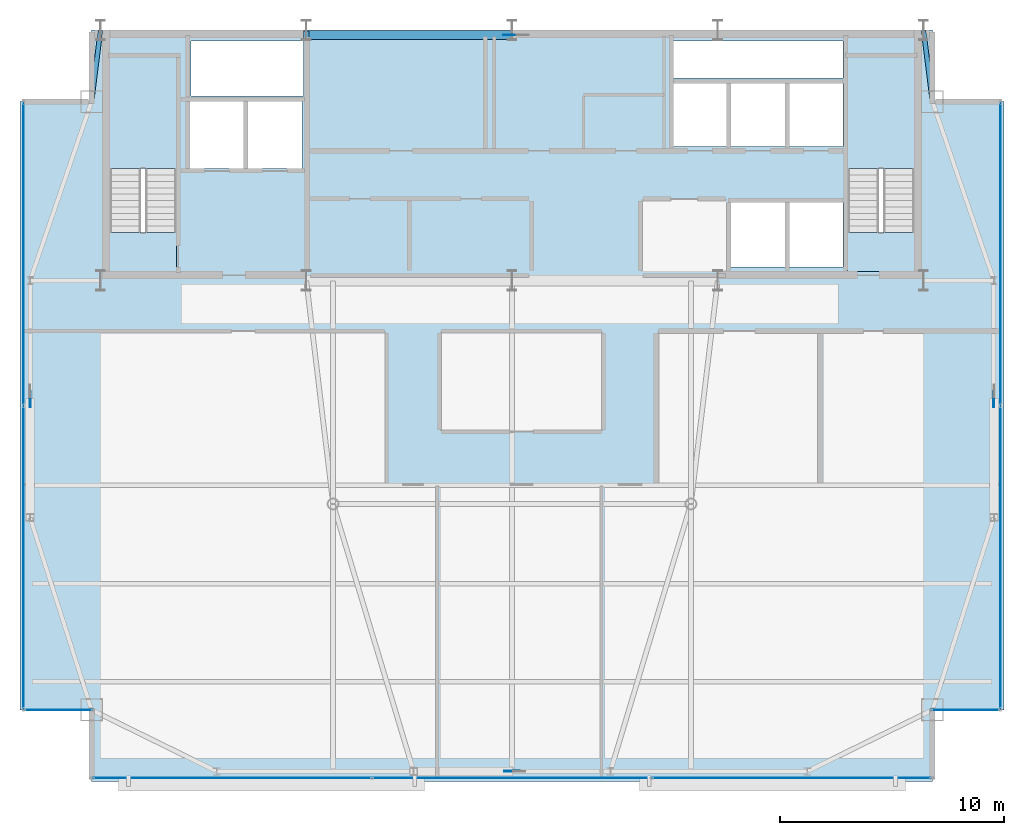
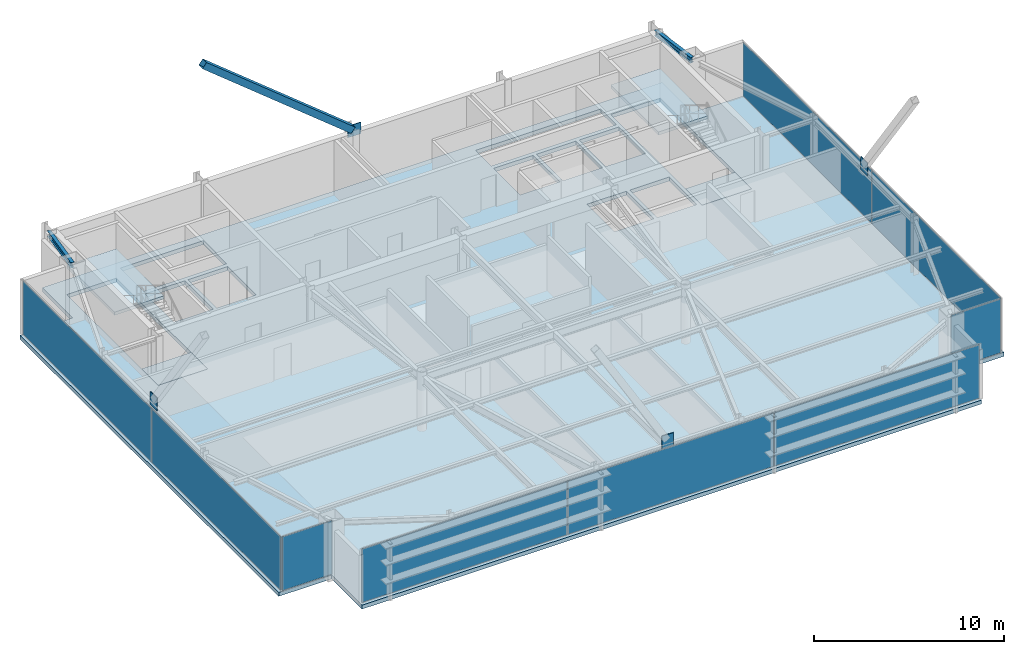
# One storey, part 18 of 24: 13 plates, 5 slabs, 2 beams, 1 member, 7 elements without a shape of their own.
"""IFC4 building model written with IfcOpenShell, lengths in metres."""

import ifcopenshell
import ifcopenshell.guid

model = None  # the IFC model being written
_history = None  # IfcOwnerHistory: only IFC2X3 demands one
_inside = {}  # id of a spatial element -> (the spatial element, [elements in it])
_under = {}  # id of a project, library or spatial element -> (it, [spatial elements below it])
_declared = {}  # id of a project -> (the project, [libraries it declares])
_typed = {}  # id of a type object -> (the type object, [elements of that type])
_made_of = {}  # id of a material, layer set ... -> (it, [elements and type objects made of it])


def new_model(schema):
    """Start an empty IFC model of exactly this schema.

    Asked for "IFC4X3", IfcOpenShell would pick the latest addendum, in which some entities
    have other attributes; the version numbers below select the first issue.
    IFC2X3 requires an IfcOwnerHistory on every rooted entity: one is made here for all.
    """
    global model, _history
    if schema == "IFC4X3":
        model = ifcopenshell.file(schema_version=(4, 3, 0, 0))
    else:
        model = ifcopenshell.file(schema=schema)
    _inside.clear()
    _under.clear()
    _declared.clear()
    _typed.clear()
    _made_of.clear()
    _history = None
    if model.schema == "IFC2X3":
        org = make("IfcOrganization", Name="unknown")
        user = make(
            "IfcPersonAndOrganization",
            ThePerson=make("IfcPerson", FamilyName="unknown"),
            TheOrganization=org,
        )
        app = make(
            "IfcApplication",
            ApplicationDeveloper=org,
            Version="unknown",
            ApplicationFullName="unknown",
            ApplicationIdentifier="unknown",
        )
        _history = make(
            "IfcOwnerHistory",
            OwningUser=user,
            OwningApplication=app,
            ChangeAction="ADDED",
            CreationDate=0,
        )
    return model


def make(cls, **values):
    """One entity of the class cls with the attributes given. An attribute that is None is left unset."""
    return model.create_entity(
        cls, **{name: value for name, value in values.items() if value is not None}
    )


def rooted(cls, **values):
    """An entity with a GlobalId (a new one), such as an element, a storey or a relation."""
    return make(cls, GlobalId=ifcopenshell.guid.new(), OwnerHistory=_history, **values)


def si_unit(unit_type, name, prefix=None):
    """IfcSIUnit, for example si_unit("LENGTHUNIT", "METRE", prefix="MILLI")."""
    return make("IfcSIUnit", UnitType=unit_type, Prefix=prefix, Name=name)


def assignment(units):
    """IfcUnitAssignment: the units of a project."""
    return None if units is None else make("IfcUnitAssignment", Units=units)


def point(xyz):
    """IfcCartesianPoint."""
    return None if xyz is None else make("IfcCartesianPoint", Coordinates=xyz)


def direction(xyz):
    """IfcDirection."""
    return None if xyz is None else make("IfcDirection", DirectionRatios=xyz)


def frame(location, z_axis=None, x_axis=None):
    """IfcAxis2Placement3D, a coordinate frame: its origin and axes. An axis left out is left unset."""
    return make(
        "IfcAxis2Placement3D",
        Location=point(location),
        Axis=direction(z_axis),
        RefDirection=direction(x_axis),
    )


def frame_2d(location, x_axis=None):
    """IfcAxis2Placement2D, a coordinate frame in the plane: its origin and x axis."""
    return make(
        "IfcAxis2Placement2D", Location=point(location), RefDirection=direction(x_axis)
    )


def origin():
    """The frame at (0, 0, 0) with its axes left unset."""
    return frame((0.0, 0.0, 0.0))


def origin_2d():
    """The frame at (0, 0) in the plane with its x axis left unset."""
    return frame_2d((0.0, 0.0))


def place(relative_to, where):
    """IfcLocalPlacement: puts the frame where relative to a parent placement (None: the world)."""
    return make(
        "IfcLocalPlacement", PlacementRelTo=relative_to, RelativePlacement=where
    )


def context(
    kind, dimensions, precision=None, world=None, true_north=None, identifier=None
):
    """IfcGeometricRepresentationContext, for example the 3D "Model" context."""
    return make(
        "IfcGeometricRepresentationContext",
        ContextIdentifier=identifier,
        ContextType=kind,
        CoordinateSpaceDimension=dimensions,
        Precision=precision,
        WorldCoordinateSystem=world,
        TrueNorth=true_north,
    )


def subcontext(parent, identifier, kind, view, scale=None):
    """IfcGeometricRepresentationSubContext, for example "Body" below "Model"."""
    return make(
        "IfcGeometricRepresentationSubContext",
        ContextIdentifier=identifier,
        ContextType=kind,
        ParentContext=parent,
        TargetScale=scale,
        TargetView=view,
    )


def project(units=None, contexts=None):
    """IfcProject with its units and contexts."""
    return rooted(
        "IfcProject",
        Name="project",
        RepresentationContexts=contexts,
        UnitsInContext=assignment(units),
    )


def spatial(cls, under=None, at=None, **own):
    """A site, building, storey or space (cls), placed at a placement, below another one or the project."""
    s = rooted(cls, ObjectPlacement=at, **own)
    if under is not None:
        _under.setdefault(under.id(), (under, []))[1].append(s)
    return s


def polyline(points):
    """IfcPolyline through the points."""
    return make("IfcPolyline", Points=[point(p) for p in points])


def profile(cls, at=None, kind="AREA", **sizes):
    """A parametric profile (cls). Its sizes go by their IFC names, for example OverallWidth=200.0."""
    return make(cls, ProfileType=kind, Position=at, **sizes)


def rectangle(**sizes):
    """IfcRectangleProfileDef."""
    return profile("IfcRectangleProfileDef", **sizes)


def hollow_rectangle(**sizes):
    """IfcRectangleHollowProfileDef."""
    return profile("IfcRectangleHollowProfileDef", **sizes)


def i_section(**sizes):
    """IfcIShapeProfileDef."""
    return profile("IfcIShapeProfileDef", **sizes)


def outline(outer, holes=None, kind="AREA"):
    """IfcArbitraryClosedProfileDef: a profile drawn as a closed curve; with holes, ...WithVoids."""
    if holes is None:
        return make("IfcArbitraryClosedProfileDef", ProfileType=kind, OuterCurve=outer)
    return make(
        "IfcArbitraryProfileDefWithVoids",
        ProfileType=kind,
        OuterCurve=outer,
        InnerCurves=holes,
    )


def extrude(swept, where, along, depth):
    """IfcExtrudedAreaSolid: the profile swept, set in the frame where, extruded along a direction by depth."""
    return make(
        "IfcExtrudedAreaSolid",
        SweptArea=swept,
        Position=where,
        ExtrudedDirection=direction(along),
        Depth=depth,
    )


def shape(context_of_items, identifier, shape_type, items):
    """IfcShapeRepresentation: the items that make up one representation, for example the "Body"."""
    return make(
        "IfcShapeRepresentation",
        ContextOfItems=context_of_items,
        RepresentationIdentifier=identifier,
        RepresentationType=shape_type,
        Items=items,
    )


def source(mapping_origin, context_of_items, identifier, shape_type, items):
    """IfcRepresentationMap: a shape defined once, which mapped items show again and again."""
    return make(
        "IfcRepresentationMap",
        MappingOrigin=mapping_origin,
        MappedRepresentation=shape(context_of_items, identifier, shape_type, items),
    )


def transform(
    local_origin,
    x_axis=None,
    y_axis=None,
    z_axis=None,
    scale=None,
    scale2=None,
    scale3=None,
    uniform=True,
):
    """IfcCartesianTransformationOperator3D, or its non-uniform kind. x_axis, y_axis, z_axis: its Axis1, 2, 3."""
    if uniform:
        return make(
            "IfcCartesianTransformationOperator3D",
            Axis1=direction(x_axis),
            Axis2=direction(y_axis),
            LocalOrigin=point(local_origin),
            Scale=scale,
            Axis3=direction(z_axis),
        )
    return make(
        "IfcCartesianTransformationOperator3DnonUniform",
        Axis1=direction(x_axis),
        Axis2=direction(y_axis),
        LocalOrigin=point(local_origin),
        Scale=scale,
        Axis3=direction(z_axis),
        Scale2=scale2,
        Scale3=scale3,
    )


def mapped(mapping_source, mapping_target):
    """IfcMappedItem: shows the shape of a source again, moved by a transform."""
    return make(
        "IfcMappedItem", MappingSource=mapping_source, MappingTarget=mapping_target
    )


def material(Name=None, Category=None):
    """IfcMaterial."""
    return make("IfcMaterial", Name=Name, Category=Category)


def layer(
    of_material, thickness, ventilated=None, Name=None, Category=None, Priority=None
):
    """IfcMaterialLayer: one layer of a wall or slab, of a material (None: an air gap)."""
    return make(
        "IfcMaterialLayer",
        Material=of_material,
        LayerThickness=thickness,
        IsVentilated=ventilated,
        Name=Name,
        Category=Category,
        Priority=Priority,
    )


def layer_set(layers, Name=None):
    """IfcMaterialLayerSet."""
    return make("IfcMaterialLayerSet", MaterialLayers=layers, LayerSetName=Name)


def material_profile(
    of_material, cross_section, Name=None, Category=None, Priority=None
):
    """IfcMaterialProfile: a cross section and its material."""
    return make(
        "IfcMaterialProfile",
        Name=Name,
        Material=of_material,
        Profile=cross_section,
        Priority=Priority,
        Category=Category,
    )


def profile_set(profiles, Name=None, composite=None):
    """IfcMaterialProfileSet."""
    return make(
        "IfcMaterialProfileSet",
        Name=Name,
        MaterialProfiles=profiles,
        CompositeProfile=composite,
    )


def made_of(thing, what):
    """Note that an element or type object is made of a material, layer set ...; save() writes the relation."""
    if what is not None:
        _made_of.setdefault(what.id(), (what, []))[1].append(thing)
    return thing


def type_object(cls, material=None, **own):
    """A type object (cls), such as IfcWallType, which elements share."""
    return made_of(rooted(cls, **own), material)


def type_shapes(of_type, sources):
    """Give a type object the sources (RepresentationMaps) that its elements show as mapped items."""
    of_type.RepresentationMaps = sources


def element(
    cls,
    number,
    at=None,
    inside=None,
    cuts=None,
    type_object=None,
    material=None,
    context=None,
    identifier="Body",
    shape_type=None,
    held_by="IfcProductDefinitionShape",
    body=None,
    shapes=None,
    **own,
):
    """One element of the class cls, such as IfcWall. Its Tag is "e" and its number.

    at: its placement. inside: the storey or other place that contains it. cuts: it is an
    opening in that element (IfcRelVoidsElement). A single representation is given by context,
    identifier, shape_type and body (its items); several are given by shapes. held_by: the class
    of the entity that holds the representations. save() writes the other relations.
    """
    e = rooted(cls, Tag="e%d" % number, ObjectPlacement=at, **own)
    if body is not None:
        shapes = [shape(context, identifier, shape_type, body)]
    if shapes is not None:
        e.Representation = make(held_by, Representations=shapes)
    if inside is not None:
        _inside.setdefault(inside.id(), (inside, []))[1].append(e)
    if cuts is not None:
        rooted(
            "IfcRelVoidsElement", RelatingBuildingElement=cuts, RelatedOpeningElement=e
        )
    if type_object is not None:
        _typed.setdefault(type_object.id(), (type_object, []))[1].append(e)
    return made_of(e, material)


def aggregate(whole, parts):
    """IfcRelAggregates: a whole, such as a stair, and the parts it consists of."""
    return rooted("IfcRelAggregates", RelatingObject=whole, RelatedObjects=parts)


def save(model, path):
    """Write the relations noted so far, then the file.

    IfcRelAggregates (storeys below a building ...), IfcRelContainedInSpatialStructure (elements
    in a storey), IfcRelDefinesByType, IfcRelAssociatesMaterial and IfcRelDeclares: one each for
    every whole, place, type object, material and project.
    """
    for whole, parts in _under.values():
        aggregate(whole, parts)
    for where, things in _inside.values():
        rooted(
            "IfcRelContainedInSpatialStructure",
            RelatedElements=things,
            RelatingStructure=where,
        )
    for kind, things in _typed.values():
        rooted("IfcRelDefinesByType", RelatedObjects=things, RelatingType=kind)
    for what, things in _made_of.values():
        rooted("IfcRelAssociatesMaterial", RelatedObjects=things, RelatingMaterial=what)
    for by, libraries in _declared.values():
        rooted("IfcRelDeclares", RelatingContext=by, RelatedDefinitions=libraries)
    model.write(path)


model = new_model("IFC4")

# Units and contexts
model_context = context("Model", 3, precision=1e-05, world=origin(), true_north=direction((0.0, 1.0)))
body_context = subcontext(model_context, "Body", "Model", "MODEL_VIEW")
ifc_project = project(units=[si_unit("LENGTHUNIT", "METRE"), si_unit("AREAUNIT", "SQUARE_METRE"), si_unit("VOLUMEUNIT", "CUBIC_METRE"), si_unit("PLANEANGLEUNIT", "RADIAN"), si_unit("MASSUNIT", "GRAM", prefix="KILO")], contexts=[model_context])

# Site, building, storey
site_placement = place(None, origin())
site = spatial("IfcSite", under=ifc_project, at=site_placement, CompositionType="ELEMENT")
building_placement = place(site_placement, origin())
building = spatial("IfcBuilding", under=site, at=building_placement, Name="Varnel Quay Broadcast Tower", CompositionType="ELEMENT")
storey_placement = place(building_placement, frame((0.0, 0.0, 277.39990234375)))
storey = spatial("IfcBuildingStorey", under=building, at=storey_placement, Name="L69", CompositionType="ELEMENT", Elevation=277.39990234375)

# Beams
ifc_material_1 = material(Name="Structural Steel CSA G40.21 350W", Category="steel")
ifc_material_profile_1 = material_profile(ifc_material_1, i_section(OverallWidth=0.205078125, OverallDepth=0.35400390625, WebThickness=0.009521484375, FlangeThickness=0.016845703125, FilletRadius=0.012939453125, at=origin_2d()), Name="W360X79")
ifc_profile_set_1 = profile_set([ifc_material_profile_1], Name="Structural Steel CSA G40.21 350W")
beam_type = type_object("IfcBeamType", Name="Beam_W360X79", PredefinedType="SPANDREL", material=ifc_profile_set_1)
shared_shape_1 = source(origin(), body_context, "Body", "SweptSolid", [
    extrude(i_section(OverallWidth=0.205078125, OverallDepth=0.35400390625, WebThickness=0.009521484375, FlangeThickness=0.016845703125, FilletRadius=0.012939453125, at=origin_2d()), origin(), (0.0, 0.0, 1.0), 3.18505859375),
])
type_shapes(beam_type, [shared_shape_1])
for number, where, z_axis, x_axis, name in (
    (1, (15.202392578125, 43.619873046875, 3.373046875), (0.124025300311, 0.992279055953, 0.0), (-0.992279055953, 0.124025300311, 0.0), "L69 NW Tie Spandrel"),
    (2, (52.402587890625, 46.7802734375, 3.373046875), (0.124025300311, -0.992279055953, 0.0), (0.992279055953, 0.124025300311, 0.0), "L69 NE Tie Spandrel"),
):
    element("IfcBeam", number, at=place(storey_placement, frame(where, z_axis=z_axis, x_axis=x_axis)), inside=storey, type_object=beam_type, Name=name, PredefinedType="SPANDREL", context=body_context, shape_type="MappedRepresentation", body=[
        mapped(shared_shape_1, transform((0.0, 0.0, 0.0), x_axis=(1.0, 0.0, 0.0), y_axis=(0.0, 1.0, 0.0), z_axis=(0.0, 0.0, 1.0), scale=1.0)),
    ])

# Member
ifc_material_profile_2 = material_profile(ifc_material_1, hollow_rectangle(XDim=0.406005859375, YDim=0.406005859375, WallThickness=0.01611328125, at=origin_2d()), Name="HSS406X406X16")
ifc_profile_set_2 = profile_set([ifc_material_profile_2], Name="Structural Steel CSA G40.21 350W")
member_type = type_object("IfcMemberType", Name="Brace_HSS406X406X16", PredefinedType="BRACE", material=ifc_profile_set_2)
shared_shape_2 = source(origin(), body_context, "Body", "SweptSolid", [
    extrude(hollow_rectangle(XDim=0.406005859375, YDim=0.406005859375, WallThickness=0.01611328125, at=origin_2d()), origin(), (0.0, 0.0, 1.0), 11.608642578125),
])
type_shapes(member_type, [shared_shape_2])
member_placement = place(storey_placement, frame((33.8193359375, 46.580078125, 3.821533203125), z_axis=(-0.776938680611, 0.0, 0.629576275418), x_axis=(0.0, -1.0, 0.0)))
element("IfcMember", 3, at=member_placement, inside=storey, type_object=member_type, Name="Zone 5 Mega-Brace N-CT2 Split Diag B2", PredefinedType="BRACE", context=body_context, shape_type="MappedRepresentation", body=[
    mapped(shared_shape_2, transform((0.0, 0.0, 0.0), x_axis=(1.0, 0.0, 0.0), y_axis=(0.0, 1.0, 0.0), z_axis=(0.0, 0.0, 1.0), scale=1.0)),
])

# Slabs
ifc_material_2 = material(Name="Concrete CSA A23.3 C50/60", Category="concrete")
ifc_layer_1 = layer(ifc_material_2, 0.25, Name="Concrete CSA A23.3 C50/60")
ifc_layer_set_1 = layer_set([ifc_layer_1], Name="Concrete CSA A23.3 C50/60")
slab_type_1 = type_object("IfcSlabType", Name="Slab_Floor250", PredefinedType="FLOOR", material=ifc_layer_set_1)
slab_1_placement = place(storey_placement, frame((0.0, 0.0, -0.25)))
element("IfcSlab", 4, at=slab_1_placement, inside=storey, type_object=slab_type_1, Name="L69 Structural Slab", PredefinedType="FLOOR", context=body_context, shape_type="SweptSolid", body=[
    extrude(outline(polyline([(15.199951171875, 13.199951171875), (52.800048828125, 13.199951171875), (52.800048828125, 16.39990234375), (56.0, 16.39990234375), (56.0, 43.60009765625), (52.800048828125, 43.60009765625), (52.800048828125, 46.800048828125), (15.199951171875, 46.800048828125), (15.199951171875, 43.60009765625), (12.0, 43.60009765625), (12.0, 16.39990234375), (15.199951171875, 16.39990234375), (15.199951171875, 13.199951171875)]), holes=[polyline([(19.0, 36.0), (16.0, 36.0), (16.0, 45.60009765625), (19.0, 45.60009765625), (19.0, 36.0)]), polyline([(19.60009765625, 40.60009765625), (19.60009765625, 43.60009765625), (22.0, 43.60009765625), (22.0, 40.60009765625), (19.60009765625, 40.60009765625)]), polyline([(22.199951171875, 40.60009765625), (22.199951171875, 43.60009765625), (24.60009765625, 43.60009765625), (24.60009765625, 40.60009765625), (22.199951171875, 40.60009765625)]), polyline([(41.199951171875, 44.39990234375), (43.60009765625, 44.39990234375), (43.60009765625, 41.60009765625), (41.199951171875, 41.60009765625), (41.199951171875, 44.39990234375)]), polyline([(43.800048828125, 44.39990234375), (46.199951171875, 44.39990234375), (46.199951171875, 41.60009765625), (43.800048828125, 41.60009765625), (43.800048828125, 44.39990234375)]), polyline([(19.64990234375, 43.85009765625), (19.64990234375, 46.300048828125), (24.679931640625, 46.300048828125), (24.679931640625, 43.85009765625), (19.64990234375, 43.85009765625)]), polyline([(43.800048828125, 39.10009765625), (46.199951171875, 39.10009765625), (46.199951171875, 36.199951171875), (43.800048828125, 36.199951171875), (43.800048828125, 39.10009765625)]), polyline([(46.39990234375, 39.10009765625), (48.800048828125, 39.10009765625), (48.800048828125, 36.199951171875), (46.39990234375, 36.199951171875), (46.39990234375, 39.10009765625)]), polyline([(52.0, 36.0), (49.0, 36.0), (49.0, 45.60009765625), (52.0, 45.60009765625), (52.0, 36.0)]), polyline([(46.39990234375, 44.39990234375), (48.800048828125, 44.39990234375), (48.800048828125, 41.60009765625), (46.39990234375, 41.60009765625), (46.39990234375, 44.39990234375)]), polyline([(41.199951171875, 46.300048828125), (48.800048828125, 46.300048828125), (48.800048828125, 44.64990234375), (41.199951171875, 44.64990234375), (41.199951171875, 46.300048828125)])]), origin(), (0.0, 0.0, 1.0), 0.25),
])
ifc_layer_2 = layer(ifc_material_2, 0.25, Name="Concrete CSA A23.3 C50/60")
ifc_layer_set_2 = layer_set([ifc_layer_2], Name="Concrete CSA A23.3 C50/60")
slab_type_2 = type_object("IfcSlabType", Name="Slab_StairFloorLanding250", PredefinedType="FLOOR", material=ifc_layer_set_2)
slab_2_placement = place(storey_placement, frame((0.0, 0.0, -0.25)))
element("IfcSlab", 5, at=slab_2_placement, inside=storey, type_object=slab_type_2, Name="L69 ST-01 Structural Floor Landing Slab", PredefinedType="FLOOR", context=body_context, shape_type="SweptSolid", body=[
    extrude(outline(polyline([(19.0, 36.0), (19.0, 37.75), (16.0, 37.75), (16.0, 36.0), (19.0, 36.0)])), origin(), (0.0, 0.0, 1.0), 0.25),
])
slab_3_placement = place(storey_placement, frame((0.0, 0.0, -0.25)))
element("IfcSlab", 6, at=slab_3_placement, inside=storey, type_object=slab_type_2, Name="L69 ST-02 Structural Floor Landing Slab", PredefinedType="FLOOR", context=body_context, shape_type="SweptSolid", body=[
    extrude(outline(polyline([(52.0, 36.0), (52.0, 37.75), (49.0, 37.75), (49.0, 36.0), (52.0, 36.0)])), origin(), (0.0, 0.0, 1.0), 0.25),
])

# Stair, slab
ifc_material_3 = material(Name="Precast Structural Concrete C40/50", Category="concrete")
stair_type_1 = type_object("IfcStairType", Name="Stair_ST-01", PredefinedType="HALF_TURN_STAIR", material=ifc_material_3)
stair_1_placement = place(storey_placement, origin())
stair_1 = element("IfcStair", 7, at=stair_1_placement, inside=storey, type_object=stair_type_1, Name="L69 West Core Exit Stair 1", PredefinedType="HALF_TURN_STAIR")
ifc_layer_3 = layer(ifc_material_3, 0.199951171875, Name="Precast Structural Concrete C40/50")
ifc_layer_set_3 = layer_set([ifc_layer_3], Name="Precast Structural Concrete C40/50")
slab_type_3 = type_object("IfcSlabType", Name="Slab_StairLanding200", PredefinedType="LANDING", material=ifc_layer_set_3)
slab_4_placement = place(storey_placement, frame((0.0, 0.0, 1.7001953125)))
slab_4 = element("IfcSlab", 8, at=slab_4_placement, type_object=slab_type_3, Name="ST-01 landing 1", PredefinedType="LANDING", context=body_context, shape_type="SweptSolid", body=[
    extrude(outline(polyline([(19.0, 40.60009765625), (19.0, 45.60009765625), (16.0, 45.60009765625), (16.0, 40.60009765625), (19.0, 40.60009765625)])), origin(), (0.0, 0.0, 1.0), 0.199951171875),
])
aggregate(stair_1, [slab_4])

stair_type_2 = type_object("IfcStairType", Name="Stair_ST-02", PredefinedType="HALF_TURN_STAIR", material=ifc_material_3)
stair_2_placement = place(storey_placement, origin())
stair_2 = element("IfcStair", 9, at=stair_2_placement, inside=storey, type_object=stair_type_2, Name="L69 East Core Exit Stair 2", PredefinedType="HALF_TURN_STAIR")
slab_5_placement = place(storey_placement, frame((0.0, 0.0, 1.7001953125)))
slab_5 = element("IfcSlab", 10, at=slab_5_placement, type_object=slab_type_3, Name="ST-02 landing 1", PredefinedType="LANDING", context=body_context, shape_type="SweptSolid", body=[
    extrude(outline(polyline([(52.0, 40.60009765625), (52.0, 45.60009765625), (49.0, 45.60009765625), (49.0, 40.60009765625), (52.0, 40.60009765625)])), origin(), (0.0, 0.0, 1.0), 0.199951171875),
])
aggregate(stair_2, [slab_5])

# Plates
ifc_material_4 = material(Name="Structural Steel CSA G40.21 350WT", Category="steel")
ifc_layer_4 = layer(ifc_material_4, 0.0400390625, Name="Structural Steel CSA G40.21 350WT")
ifc_layer_set_4 = layer_set([ifc_layer_4], Name="Structural Steel CSA G40.21 350WT")
plate_type_1 = type_object("IfcPlateType", Name="Plate_MegaGusset", PredefinedType="USERDEFINED", material=ifc_layer_set_4)
shared_shape_3 = source(origin(), body_context, "Body", "SweptSolid", [
    extrude(rectangle(XDim=0.801025390625, YDim=0.0400390625, at=origin_2d()), origin(), (0.0, 0.0, 1.0), 0.73291015625),
])
plate_1_placement = place(storey_placement, frame((34.0, 46.580078125, 3.30859375), z_axis=(0.0, 0.0, 1.0), x_axis=(1.0, 0.0, 0.0)))
element("IfcPlate", 11, at=plate_1_placement, inside=storey, type_object=plate_type_1, Name="Zone 5 Mega-Brace N-CT2 Central X-Crossing Gusset Plate", ObjectType="GUSSET_PLATE", PredefinedType="USERDEFINED", context=body_context, shape_type="MappedRepresentation", body=[
    mapped(shared_shape_3, transform((0.0, 0.0, 0.0), x_axis=(1.0, 0.0, 0.0), y_axis=(0.0, 1.0, 0.0), z_axis=(0.0, 0.0, 1.0), scale=1.0)),
])
shared_shape_4 = source(origin(), body_context, "Body", "SweptSolid", [
    extrude(rectangle(XDim=0.700927734375, YDim=0.0400390625, at=origin_2d()), origin(), (0.0, 0.0, 1.0), 0.882080078125),
])
plate_2_placement = place(storey_placement, frame((34.0, 13.64990234375, 3.23388671875), z_axis=(0.0, 0.0, 1.0), x_axis=(1.0, 0.0, 0.0)))
element("IfcPlate", 12, at=plate_2_placement, inside=storey, type_object=plate_type_1, Name="Zone 5 Mega-Brace S-C1T2 Central X-Crossing Gusset Plate", ObjectType="GUSSET_PLATE", PredefinedType="USERDEFINED", context=body_context, shape_type="MappedRepresentation", body=[
    mapped(shared_shape_4, transform((0.0, 0.0, 0.0), x_axis=(1.0, 0.0, 0.0), y_axis=(0.0, 1.0, 0.0), z_axis=(0.0, 0.0, 1.0), scale=1.0)),
])
shared_shape_5 = source(origin(), body_context, "Body", "SweptSolid", [
    extrude(rectangle(XDim=0.718017578125, YDim=0.0400390625, at=origin_2d()), origin(), (0.0, 0.0, 1.0), 0.8310546875),
])
type_shapes(plate_type_1, [shared_shape_3, shared_shape_4, shared_shape_5])
for number, where, z_axis, x_axis, name in (
    (13, (12.449951171875, 30.300048828125, 3.259521484375), (0.0, 0.0, 1.0), (0.0, 1.0, 0.0), "Zone 5 Mega-Brace W-FT2 Central X-Crossing Gusset Plate"),
    (14, (55.550048828125, 30.300048828125, 3.259521484375), (0.0, 0.0, 1.0), (0.0, 1.0, 0.0), "Zone 5 Mega-Brace E-FT2 Central X-Crossing Gusset Plate"),
):
    element("IfcPlate", number, at=place(storey_placement, frame(where, z_axis=z_axis, x_axis=x_axis)), inside=storey, type_object=plate_type_1, Name=name, ObjectType="GUSSET_PLATE", PredefinedType="USERDEFINED", context=body_context, shape_type="MappedRepresentation", body=[
        mapped(shared_shape_5, transform((0.0, 0.0, 0.0), x_axis=(1.0, 0.0, 0.0), y_axis=(0.0, 1.0, 0.0), z_axis=(0.0, 0.0, 1.0), scale=1.0)),
    ])

# Curtain wall, plates
ifc_material_5 = material(Name="Anodised Bronze Aluminium 6063-T6", Category="aluminium")
ifc_layer_5 = layer(ifc_material_5, 0.18994140625, Name="Anodised Bronze Aluminium 6063-T6")
ifc_layer_set_5 = layer_set([ifc_layer_5], Name="Anodised Bronze Aluminium 6063-T6")
curtain_wall_type_1 = type_object("IfcCurtainWallType", Name="CW_UpperTower", PredefinedType="NOTDEFINED", material=ifc_layer_set_5)
curtain_wall_1_placement = place(storey_placement, origin())
curtain_wall_1 = element("IfcCurtainWall", 15, at=curtain_wall_1_placement, inside=storey, type_object=curtain_wall_type_1, Name="L69 West Unitised Curtain Wall", PredefinedType="NOTDEFINED")
ifc_material_6 = material(Name="Insulated Bronze Spandrel Glass", Category="glass")
ifc_layer_6 = layer(ifc_material_6, 0.030029296875, Name="Insulated Bronze Spandrel Glass")
ifc_layer_set_6 = layer_set([ifc_layer_6], Name="Insulated Bronze Spandrel Glass")
plate_type_2 = type_object("IfcPlateType", Name="PanelSp_CWS-03", PredefinedType="CURTAIN_PANEL", material=ifc_layer_set_6)
shared_shape_6 = source(origin(), body_context, "Body", "SweptSolid", [
    extrude(rectangle(XDim=13.50244140625, YDim=0.030029296875, at=origin_2d()), origin(), (0.0, 0.0, 1.0), 3.429931640625),
])
plate_3_placement = place(storey_placement, frame((12.14990234375, 23.21630859375, 0.06005859375), z_axis=(0.0, 0.0, 1.0), x_axis=(0.0, 1.0, 0.0)))
plate_3 = element("IfcPlate", 16, at=plate_3_placement, type_object=plate_type_2, Name="CWS-03 panel 1.1", PredefinedType="CURTAIN_PANEL", context=body_context, shape_type="MappedRepresentation", body=[
    mapped(shared_shape_6, transform((0.0, 0.0, 0.0), x_axis=(1.0, 0.0, 0.0), y_axis=(0.0, 1.0, 0.0), z_axis=(0.0, 0.0, 1.0), scale=1.0)),
])
plate_4_placement = place(storey_placement, frame((12.14990234375, 36.78369140625, 0.06005859375), z_axis=(0.0, 0.0, 1.0), x_axis=(0.0, 1.0, 0.0)))
plate_4 = element("IfcPlate", 17, at=plate_4_placement, type_object=plate_type_2, Name="CWS-03 panel 2.1", PredefinedType="CURTAIN_PANEL", context=body_context, shape_type="MappedRepresentation", body=[
    mapped(shared_shape_6, transform((0.0, 0.0, 0.0), x_axis=(1.0, 0.0, 0.0), y_axis=(0.0, 1.0, 0.0), z_axis=(0.0, 0.0, 1.0), scale=1.0)),
])
aggregate(curtain_wall_1, [plate_3, plate_4])

curtain_wall_2_placement = place(storey_placement, origin())
curtain_wall_2 = element("IfcCurtainWall", 18, at=curtain_wall_2_placement, inside=storey, type_object=curtain_wall_type_1, Name="L69 East Unitised Curtain Wall", PredefinedType="NOTDEFINED")
plate_5_placement = place(storey_placement, frame((55.85009765625, 23.21630859375, 0.06005859375), z_axis=(0.0, 0.0, 1.0), x_axis=(0.0, 1.0, 0.0)))
plate_5 = element("IfcPlate", 19, at=plate_5_placement, type_object=plate_type_2, Name="CWS-03 panel 1.1", PredefinedType="CURTAIN_PANEL", context=body_context, shape_type="MappedRepresentation", body=[
    mapped(shared_shape_6, transform((0.0, 0.0, 0.0), x_axis=(1.0, 0.0, 0.0), y_axis=(0.0, 1.0, 0.0), z_axis=(0.0, 0.0, 1.0), scale=1.0)),
])
plate_6_placement = place(storey_placement, frame((55.85009765625, 36.78369140625, 0.06005859375), z_axis=(0.0, 0.0, 1.0), x_axis=(0.0, 1.0, 0.0)))
plate_6 = element("IfcPlate", 20, at=plate_6_placement, type_object=plate_type_2, Name="CWS-03 panel 2.1", PredefinedType="CURTAIN_PANEL", context=body_context, shape_type="MappedRepresentation", body=[
    mapped(shared_shape_6, transform((0.0, 0.0, 0.0), x_axis=(1.0, 0.0, 0.0), y_axis=(0.0, 1.0, 0.0), z_axis=(0.0, 0.0, 1.0), scale=1.0)),
])
aggregate(curtain_wall_2, [plate_5, plate_6])

# Curtain wall, plate
ifc_layer_7 = layer(ifc_material_5, 0.18994140625, Name="Anodised Bronze Aluminium 6063-T6")
ifc_layer_set_7 = layer_set([ifc_layer_7], Name="Anodised Bronze Aluminium 6063-T6")
curtain_wall_type_2 = type_object("IfcCurtainWallType", Name="CW_NotchCorner", PredefinedType="NOTDEFINED", material=ifc_layer_set_7)
curtain_wall_3_placement = place(storey_placement, origin())
curtain_wall_3 = element("IfcCurtainWall", 21, at=curtain_wall_3_placement, inside=storey, type_object=curtain_wall_type_2, Name="L69 SW Notch Curtain Wall", PredefinedType="NOTDEFINED")
ifc_material_7 = material(Name="Triple-Glazed Bronze Low-E Architectural Glass", Category="glass")
ifc_layer_8 = layer(ifc_material_7, 0.028076171875, Name="Triple-Glazed Bronze Low-E Architectural Glass")
ifc_layer_set_8 = layer_set([ifc_layer_8], Name="Triple-Glazed Bronze Low-E Architectural Glass")
plate_type_3 = type_object("IfcPlateType", Name="Panel_CWS-04", PredefinedType="CURTAIN_PANEL", material=ifc_layer_set_8)
shared_shape_7 = source(origin(), body_context, "Body", "SweptSolid", [
    extrude(rectangle(XDim=3.010009765625, YDim=0.028076171875, at=origin_2d()), origin(), (0.0, 0.0, 1.0), 3.43994140625),
])
type_shapes(plate_type_3, [shared_shape_7])
plate_7_placement = place(storey_placement, frame((13.715087890625, 16.39990234375, 0.05517578125), z_axis=(0.0, 0.0, 1.0), x_axis=(1.0, 0.0, 0.0)))
plate_7 = element("IfcPlate", 22, at=plate_7_placement, type_object=plate_type_3, Name="CWS-04 panel 1.1", PredefinedType="CURTAIN_PANEL", context=body_context, shape_type="MappedRepresentation", body=[
    mapped(shared_shape_7, transform((0.0, 0.0, 0.0), x_axis=(1.0, 0.0, 0.0), y_axis=(0.0, 1.0, 0.0), z_axis=(0.0, 0.0, 1.0), scale=1.0)),
])
aggregate(curtain_wall_3, [plate_7])

curtain_wall_4_placement = place(storey_placement, origin())
curtain_wall_4 = element("IfcCurtainWall", 23, at=curtain_wall_4_placement, inside=storey, type_object=curtain_wall_type_2, Name="L69 SE Notch Curtain Wall", PredefinedType="NOTDEFINED")
plate_8_placement = place(storey_placement, frame((54.284912109375, 16.39990234375, 0.05517578125), z_axis=(0.0, 0.0, 1.0), x_axis=(1.0, 0.0, 0.0)))
plate_8 = element("IfcPlate", 24, at=plate_8_placement, type_object=plate_type_3, Name="CWS-04 panel 1.1", PredefinedType="CURTAIN_PANEL", context=body_context, shape_type="MappedRepresentation", body=[
    mapped(shared_shape_7, transform((0.0, 0.0, 0.0), x_axis=(1.0, 0.0, 0.0), y_axis=(0.0, 1.0, 0.0), z_axis=(0.0, 0.0, 1.0), scale=1.0)),
])
aggregate(curtain_wall_4, [plate_8])

# Curtain wall, plates
curtain_wall_5_placement = place(storey_placement, origin())
curtain_wall_5 = element("IfcCurtainWall", 25, at=curtain_wall_5_placement, inside=storey, type_object=curtain_wall_type_1, Name="L69 South Unitised Curtain Wall 1", PredefinedType="NOTDEFINED")
ifc_layer_9 = layer(ifc_material_7, 0.030029296875, Name="Triple-Glazed Bronze Low-E Architectural Glass")
ifc_layer_set_9 = layer_set([ifc_layer_9], Name="Triple-Glazed Bronze Low-E Architectural Glass")
plate_type_4 = type_object("IfcPlateType", Name="Panel_CWS-03", PredefinedType="CURTAIN_PANEL", material=ifc_layer_set_9)
shared_shape_8 = source(origin(), body_context, "Body", "SweptSolid", [
    extrude(rectangle(XDim=12.435791015625, YDim=0.030029296875, at=origin_2d()), origin(), (0.0, 0.0, 1.0), 3.429931640625),
])
type_shapes(plate_type_4, [shared_shape_8])
plate_9_placement = place(storey_placement, frame((21.48291015625, 13.35009765625, 0.06005859375), z_axis=(0.0, 0.0, 1.0), x_axis=(1.0, 0.0, 0.0)))
plate_9 = element("IfcPlate", 26, at=plate_9_placement, type_object=plate_type_4, Name="CWS-03 panel 1.1", PredefinedType="CURTAIN_PANEL", context=body_context, shape_type="MappedRepresentation", body=[
    mapped(shared_shape_8, transform((0.0, 0.0, 0.0), x_axis=(1.0, 0.0, 0.0), y_axis=(0.0, 1.0, 0.0), z_axis=(0.0, 0.0, 1.0), scale=1.0)),
])
plate_10_placement = place(storey_placement, frame((46.51708984375, 13.35009765625, 0.06005859375), z_axis=(0.0, 0.0, 1.0), x_axis=(1.0, 0.0, 0.0)))
plate_10 = element("IfcPlate", 27, at=plate_10_placement, type_object=plate_type_4, Name="CWS-03 panel 3.1", PredefinedType="CURTAIN_PANEL", context=body_context, shape_type="MappedRepresentation", body=[
    mapped(shared_shape_8, transform((0.0, 0.0, 0.0), x_axis=(1.0, 0.0, 0.0), y_axis=(0.0, 1.0, 0.0), z_axis=(0.0, 0.0, 1.0), scale=1.0)),
])
shared_shape_9 = source(origin(), body_context, "Body", "SweptSolid", [
    extrude(rectangle(XDim=12.46826171875, YDim=0.030029296875, at=origin_2d()), origin(), (0.0, 0.0, 1.0), 3.429931640625),
])
type_shapes(plate_type_2, [shared_shape_6, shared_shape_9])
plate_11_placement = place(storey_placement, frame((34.0, 13.35009765625, 0.06005859375), z_axis=(0.0, 0.0, 1.0), x_axis=(1.0, 0.0, 0.0)))
plate_11 = element("IfcPlate", 28, at=plate_11_placement, type_object=plate_type_2, Name="CWS-03 panel 2.1", PredefinedType="CURTAIN_PANEL", context=body_context, shape_type="MappedRepresentation", body=[
    mapped(shared_shape_9, transform((0.0, 0.0, 0.0), x_axis=(1.0, 0.0, 0.0), y_axis=(0.0, 1.0, 0.0), z_axis=(0.0, 0.0, 1.0), scale=1.0)),
])
aggregate(curtain_wall_5, [plate_9, plate_11, plate_10])

save(model, "model.ifc")
